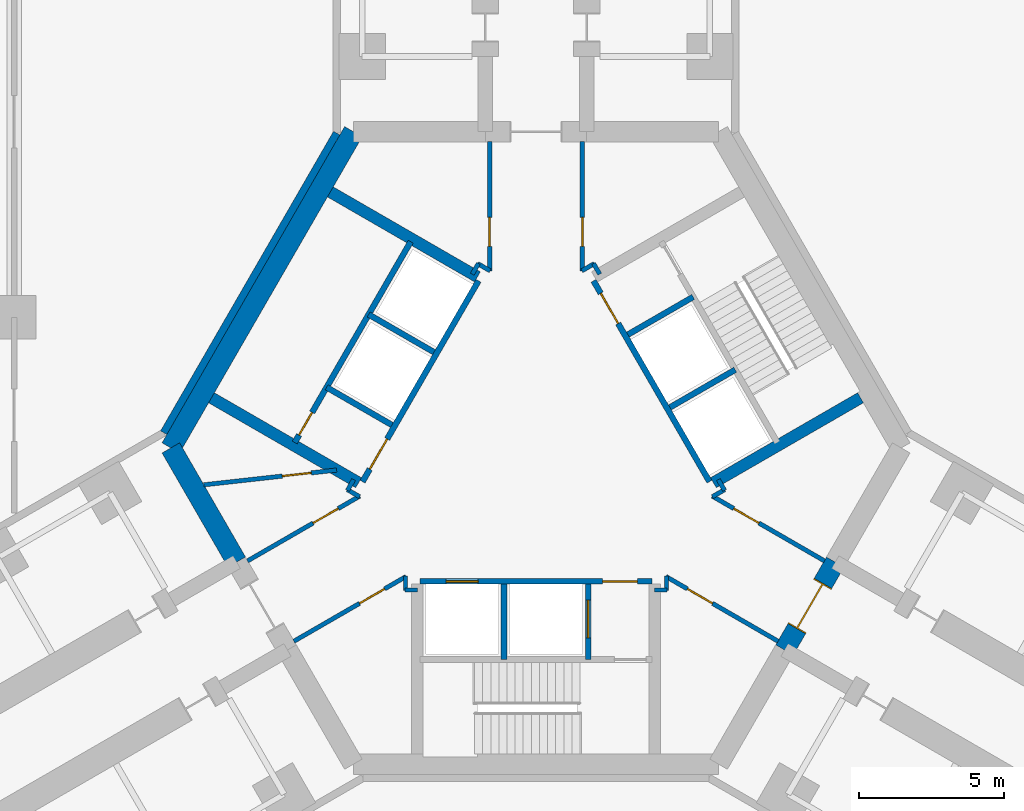
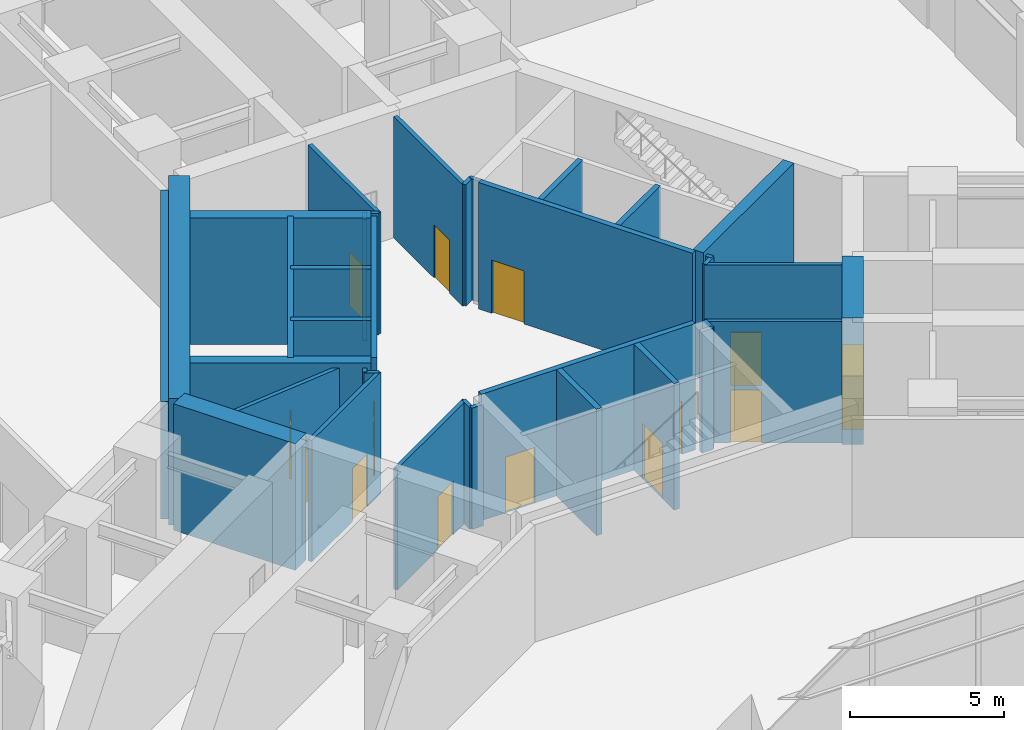
# One storey, part 25 of 31: 36 walls, 14 doors, 14 openings.
"""IFC4 building model written with IfcOpenShell, lengths in metres."""

from ifc_helpers import new_model, si_unit, direction, frame, frame_2d, origin, place, context, subcontext, project, spatial, rectangle, extrude, material, layer, layer_set, type_object, element, fill, save


model = new_model("IFC4")

# Units and contexts
model_context = context("Model", 3, precision=1e-05, world=origin(), true_north=direction((0.0, 1.0)))
body_context = subcontext(model_context, "Body", "Model", "MODEL_VIEW")
ifc_project = project(units=[si_unit("LENGTHUNIT", "METRE"), si_unit("AREAUNIT", "SQUARE_METRE"), si_unit("VOLUMEUNIT", "CUBIC_METRE"), si_unit("PLANEANGLEUNIT", "RADIAN"), si_unit("MASSUNIT", "GRAM", prefix="KILO")], contexts=[model_context])

# Site, building, storey
site_placement = place(None, origin())
site = spatial("IfcSite", under=ifc_project, at=site_placement, CompositionType="ELEMENT")
building_placement = place(site_placement, origin())
building = spatial("IfcBuilding", under=site, at=building_placement, Name="Upepo Twin Towers", CompositionType="ELEMENT")
storey_placement = place(building_placement, frame((0.0, 0.0, 15.5)))
storey = spatial("IfcBuildingStorey", under=building, at=storey_placement, Name="L03", CompositionType="ELEMENT", Elevation=15.5)

# Walls
ifc_material_1 = material(Name="Concrete C60/75", Category="concrete")
ifc_layer_1 = layer(ifc_material_1, 0.699951171875)
ifc_layer_set_1 = layer_set([ifc_layer_1], Name="Concrete C60/75")
wall_type_1 = type_object("IfcWallType", Name="Core wall 700 RC", PredefinedType="SHEAR", material=ifc_layer_set_1)
wall_1_placement = place(storey_placement, frame((52.2021484375, -7.091552734375, 0.0), z_axis=(0.0, 0.0, 1.0), x_axis=(-0.500005998175, -0.866021940709, 0.0)))
element("IfcWall", 1, at=wall_1_placement, inside=storey, type_object=wall_type_1, Name="T2 core wall 060", PredefinedType="SHEAR", context=body_context, shape_type="SweptSolid", body=[
    extrude(rectangle(XDim=12.595947265625, YDim=0.699951171875, at=frame_2d((6.2978515625, 0.0))), origin(), (0.0, 0.0, 1.0), 5.0),
])
wall_2_placement = place(storey_placement, frame((45.904052734375, -18.0, 0.0), z_axis=(0.0, 0.0, 1.0), x_axis=(0.500024481964, -0.866011268655, 0.0)))
element("IfcWall", 2, at=wall_2_placement, inside=storey, type_object=wall_type_1, Name="T2 core wall 120 R", PredefinedType="SHEAR", context=body_context, shape_type="SweptSolid", body=[
    extrude(rectangle(XDim=4.548095703125, YDim=0.699951171875, at=frame_2d((2.27392578125, 0.0))), origin(), (0.0, 0.0, 1.0), 5.0),
])

# Wall, opening, door
wall_3_placement = place(storey_placement, frame((67.07177734375, -24.9697265625, 0.0), z_axis=(0.0, 0.0, 1.0), x_axis=(0.500010275428, 0.866019471182, 0.0)))
wall_3 = element("IfcWall", 3, at=wall_3_placement, inside=storey, type_object=wall_type_1, Name="T2 core wall 240", PredefinedType="SHEAR", context=body_context, shape_type="SweptSolid", body=[
    extrude(rectangle(XDim=3.5, YDim=0.699951171875, at=frame_2d((1.75, 0.0))), origin(), (0.0, 0.0, 1.0), 5.0),
])
opening_1_placement = place(wall_3_placement, frame((0.85009765625, 0.0, 0.0)))
opening_1 = element("IfcOpeningElement", 4, at=opening_1_placement, cuts=wall_3, Name="Opening D2", PredefinedType="OPENING", context=body_context, shape_type="SweptSolid", body=[
    extrude(rectangle(XDim=1.800048828125, YDim=2.10009765625, at=frame_2d((0.89990234375, 1.050048828125))), frame((0.0, 0.35986328125, 0.0), z_axis=(0.0, -1.0, 0.0), x_axis=(1.0, 0.0, 0.0)), (0.0, 0.0, 1.0), 0.719970703125),
])
ifc_material_2 = material(Name="Timber doorset", Category="wood")
door_type_1 = type_object("IfcDoorType", Name="Corridor double door 1800 FD60", OperationType="DOUBLE_DOOR_DOUBLE_SWING", PredefinedType="DOOR", material=ifc_material_2)
door_1_placement = place(opening_1_placement, origin())
door_1 = element("IfcDoor", 5, at=door_1_placement, inside=storey, type_object=door_type_1, Name="T2 L03 wing C corridor door", OperationType="DOUBLE_DOOR_DOUBLE_SWING", OverallHeight=2.10009765625, OverallWidth=1.800048828125, PredefinedType="DOOR", context=body_context, shape_type="SweptSolid", body=[
    extrude(rectangle(XDim=1.720048828125, YDim=2.06009765625, at=frame_2d((0.89990234375, 1.030029296875))), frame((0.0, 0.02490234375, 0.0), z_axis=(0.0, -1.0, 0.0), x_axis=(1.0, 0.0, 0.0)), (0.0, 0.0, 1.0), 0.050048828125),
    extrude(rectangle(XDim=0.04, YDim=2.10009765625, at=frame_2d((0.02001953125, 1.050048828125))), frame((0.0, 0.349609375, 0.0), z_axis=(0.0, -1.0, 0.0), x_axis=(1.0, 0.0, 0.0)), (0.0, 0.0, 1.0), 0.699462890625),
    extrude(rectangle(XDim=0.04, YDim=2.10009765625, at=frame_2d((1.780029296875, 1.050048828125))), frame((0.0, 0.349609375, 0.0), z_axis=(0.0, -1.0, 0.0), x_axis=(1.0, 0.0, 0.0)), (0.0, 0.0, 1.0), 0.699462890625),
    extrude(rectangle(XDim=1.720048828125, YDim=0.04, at=frame_2d((0.89990234375, 2.080078125))), frame((0.0, 0.349609375, 0.0), z_axis=(0.0, -1.0, 0.0), x_axis=(1.0, 0.0, 0.0)), (0.0, 0.0, 1.0), 0.699462890625),
])
fill(opening_1, door_1)

ifc_material_3 = material(Name="Concrete C40/50", Category="concrete")
ifc_layer_2 = layer(ifc_material_3, 0.199951171875)
ifc_layer_set_2 = layer_set([ifc_layer_2], Name="Concrete C40/50")
wall_type_2 = type_object("IfcWallType", Name="Shaft wall 200 RC", PredefinedType="SHEAR", material=ifc_layer_set_2)
wall_4_placement = place(storey_placement, frame((56.516357421875, -12.23583984375, 0.0), z_axis=(0.0, 0.0, 1.0), x_axis=(-0.49999894854, -0.866026010844, 0.0)))
wall_4 = element("IfcWall", 6, at=wall_4_placement, inside=storey, type_object=wall_type_2, Name="T2 core W60 front wall", PredefinedType="SHEAR", context=body_context, shape_type="SweptSolid", body=[
    extrude(rectangle(XDim=8.0, YDim=0.199951171875, at=frame_2d((4.0, 0.0))), origin(), (0.0, 0.0, 1.0), 5.0),
])
opening_2_placement = place(wall_4_placement, frame((6.300048828125, 0.0, 0.0)))
opening_2 = element("IfcOpeningElement", 7, at=opening_2_placement, cuts=wall_4, Name="Opening D4", PredefinedType="OPENING", context=body_context, shape_type="SweptSolid", body=[
    extrude(rectangle(XDim=1.199951171875, YDim=2.10009765625, at=frame_2d((0.60009765625, 1.050048828125))), frame((0.0, 0.10986328125, 0.0), z_axis=(0.0, -1.0, 0.0), x_axis=(1.0, 0.0, 0.0)), (0.0, 0.0, 1.0), 0.219970703125),
])
ifc_material_4 = material(Name="Timber doorset", Category="wood")
door_type_2 = type_object("IfcDoorType", Name="Lobby door 1200 FD60", OperationType="SINGLE_SWING_LEFT", PredefinedType="DOOR", material=ifc_material_4)
door_2_placement = place(opening_2_placement, origin())
door_2 = element("IfcDoor", 8, at=door_2_placement, inside=storey, type_object=door_type_2, Name="T2 L03 W60 lobby door", OperationType="SINGLE_SWING_RIGHT", OverallHeight=2.10009765625, OverallWidth=1.199951171875, PredefinedType="DOOR", context=body_context, shape_type="SweptSolid", body=[
    extrude(rectangle(XDim=1.199951171875, YDim=2.10009765625, at=frame_2d((0.60009765625, 1.050048828125))), frame((0.0, 0.02490234375, 0.0), z_axis=(0.0, -1.0, 0.0), x_axis=(1.0, 0.0, 0.0)), (0.0, 0.0, 1.0), 0.050048828125),
])
fill(opening_2, door_2)

# Walls
for number, where, z_axis, x_axis, name in (
    (9, (54.979736328125, -14.697265625, 0.0), (0.0, 0.0, 1.0), (-0.866062058628, 0.499936506574, 0.0), "T2 core W60 shaft divider"),
    (10, (53.52978515625, -17.208740234375, 0.0), (0.0, 0.0, 1.0), (-0.866062058628, 0.499936506574, 0.0), "T2 core W60 lobby wall"),
):
    element("IfcWall", number, at=place(storey_placement, frame(where, z_axis=z_axis, x_axis=x_axis)), inside=storey, type_object=wall_type_2, Name=name, PredefinedType="SHEAR", context=body_context, shape_type="SweptSolid", body=[
        extrude(rectangle(XDim=2.599853515625, YDim=0.199951171875, at=frame_2d((1.2998046875, 0.0))), origin(), (0.0, 0.0, 1.0), 5.0),
    ])

# Wall, opening, door
wall_5_placement = place(storey_placement, frame((54.177978515625, -10.885986328125, 0.0), z_axis=(0.0, 0.0, 1.0), x_axis=(-0.49999894854, -0.866026010844, 0.0)))
wall_5 = element("IfcWall", 11, at=wall_5_placement, inside=storey, type_object=wall_type_2, Name="T2 core W60 stair wall", PredefinedType="SHEAR", context=body_context, shape_type="SweptSolid", body=[
    extrude(rectangle(XDim=8.0, YDim=0.199951171875, at=frame_2d((4.0, 0.0))), origin(), (0.0, 0.0, 1.0), 5.0),
])
opening_3_placement = place(wall_5_placement, frame((6.800048828125, 0.0, 0.0)))
opening_3 = element("IfcOpeningElement", 12, at=opening_3_placement, cuts=wall_5, Name="Opening D9", PredefinedType="OPENING", context=body_context, shape_type="SweptSolid", body=[
    extrude(rectangle(XDim=0.89990234375, YDim=2.10009765625, at=frame_2d((0.449951171875, 1.050048828125))), frame((0.0, 0.10986328125, 0.0), z_axis=(0.0, -1.0, 0.0), x_axis=(1.0, 0.0, 0.0)), (0.0, 0.0, 1.0), 0.219970703125),
])
ifc_material_5 = material(Name="Timber doorset", Category="wood")
door_type_3 = type_object("IfcDoorType", Name="Riser door 900 FD60", OperationType="SINGLE_SWING_LEFT", PredefinedType="DOOR", material=ifc_material_5)
door_3_placement = place(opening_3_placement, origin())
door_3 = element("IfcDoor", 13, at=door_3_placement, inside=storey, type_object=door_type_3, Name="T2 L03 riser door", OperationType="SINGLE_SWING_RIGHT", OverallHeight=2.10009765625, OverallWidth=0.89990234375, PredefinedType="DOOR", context=body_context, shape_type="SweptSolid", body=[
    extrude(rectangle(XDim=0.89990234375, YDim=2.10009765625, at=frame_2d((0.449951171875, 1.050048828125))), frame((0.0, 0.02490234375, 0.0), z_axis=(0.0, -1.0, 0.0), x_axis=(1.0, 0.0, 0.0)), (0.0, 0.0, 1.0), 0.050048828125),
])
fill(opening_3, door_3)

# Wall, openings, doors
wall_6_placement = place(storey_placement, frame((54.5, -22.60009765625, 0.0), z_axis=(0.0, 0.0, 1.0), x_axis=(1.0, 0.0, 0.0)))
wall_6 = element("IfcWall", 14, at=wall_6_placement, inside=storey, type_object=wall_type_2, Name="T2 core W180 front wall", PredefinedType="SHEAR", context=body_context, shape_type="SweptSolid", body=[
    extrude(rectangle(XDim=8.0, YDim=0.199951171875, at=frame_2d((4.0, 0.0))), origin(), (0.0, 0.0, 1.0), 5.0),
])
opening_4_placement = place(wall_6_placement, frame((6.300048828125, 0.0, 0.0)))
opening_4 = element("IfcOpeningElement", 15, at=opening_4_placement, cuts=wall_6, Name="Opening D4", PredefinedType="OPENING", context=body_context, shape_type="SweptSolid", body=[
    extrude(rectangle(XDim=1.199951171875, YDim=2.10009765625, at=frame_2d((0.60009765625, 1.050048828125))), frame((0.0, 0.10986328125, 0.0), z_axis=(0.0, -1.0, 0.0), x_axis=(1.0, 0.0, 0.0)), (0.0, 0.0, 1.0), 0.219970703125),
])
opening_5_placement = place(wall_6_placement, frame((0.89990234375, 0.0, 0.0)))
opening_5 = element("IfcOpeningElement", 16, at=opening_5_placement, cuts=wall_6, Name="Opening LD1", PredefinedType="OPENING", context=body_context, shape_type="SweptSolid", body=[
    extrude(rectangle(XDim=1.10009765625, YDim=2.199951171875, at=frame_2d((0.550048828125, 1.10009765625))), frame((0.0, 0.10986328125, 0.0), z_axis=(0.0, -1.0, 0.0), x_axis=(1.0, 0.0, 0.0)), (0.0, 0.0, 1.0), 0.219970703125),
])
ifc_material_6 = material(Name="Steel doorset", Category="steel")
door_type_4 = type_object("IfcDoorType", Name="Lift landing door 1100", OperationType="DOUBLE_DOOR_SLIDING", PredefinedType="DOOR", material=ifc_material_6)
door_4_placement = place(opening_5_placement, origin())
door_4 = element("IfcDoor", 17, at=door_4_placement, inside=storey, type_object=door_type_4, Name="T2 L03 lift SV1 landing door", OperationType="DOUBLE_DOOR_SLIDING", OverallHeight=2.199951171875, OverallWidth=1.10009765625, PredefinedType="DOOR", context=body_context, shape_type="SweptSolid", body=[
    extrude(rectangle(XDim=1.10009765625, YDim=2.199951171875, at=frame_2d((0.550048828125, 1.10009765625))), frame((0.0, 0.02490234375, 0.0), z_axis=(0.0, -1.0, 0.0), x_axis=(1.0, 0.0, 0.0)), (0.0, 0.0, 1.0), 0.050048828125),
])
fill(opening_5, door_4)
door_5_placement = place(opening_4_placement, origin())
door_5 = element("IfcDoor", 18, at=door_5_placement, inside=storey, type_object=door_type_2, Name="T2 L03 W180 lobby door", OperationType="SINGLE_SWING_RIGHT", OverallHeight=2.10009765625, OverallWidth=1.199951171875, PredefinedType="DOOR", context=body_context, shape_type="SweptSolid", body=[
    extrude(rectangle(XDim=1.199951171875, YDim=2.10009765625, at=frame_2d((0.60009765625, 1.050048828125))), frame((0.0, 0.02490234375, 0.0), z_axis=(0.0, -1.0, 0.0), x_axis=(1.0, 0.0, 0.0)), (0.0, 0.0, 1.0), 0.050048828125),
])
fill(opening_4, door_5)

# Wall
wall_7_placement = place(storey_placement, frame((57.39990234375, -22.699951171875, 0.0), z_axis=(0.0, 0.0, 1.0), x_axis=(0.0, -1.0, 0.0)))
element("IfcWall", 19, at=wall_7_placement, inside=storey, type_object=wall_type_2, Name="T2 core W180 shaft divider", PredefinedType="SHEAR", context=body_context, shape_type="SweptSolid", body=[
    extrude(rectangle(XDim=2.60009765625, YDim=0.199951171875, at=frame_2d((1.300048828125, 0.0))), origin(), (0.0, 0.0, 1.0), 5.0),
])

# Wall, opening, door
wall_8_placement = place(storey_placement, frame((60.300048828125, -22.699951171875, 0.0), z_axis=(0.0, 0.0, 1.0), x_axis=(0.0, -1.0, 0.0)))
wall_8 = element("IfcWall", 20, at=wall_8_placement, inside=storey, type_object=wall_type_2, Name="T2 core W180 lobby wall", PredefinedType="SHEAR", context=body_context, shape_type="SweptSolid", body=[
    extrude(rectangle(XDim=2.60009765625, YDim=0.199951171875, at=frame_2d((1.300048828125, 0.0))), origin(), (0.0, 0.0, 1.0), 5.0),
])
opening_6_placement = place(wall_8_placement, frame((0.550048828125, 0.0, 0.0)))
opening_6 = element("IfcOpeningElement", 21, at=opening_6_placement, cuts=wall_8, Name="Opening LD2", PredefinedType="OPENING", context=body_context, shape_type="SweptSolid", body=[
    extrude(rectangle(XDim=1.300048828125, YDim=2.199951171875, at=frame_2d((0.64990234375, 1.10009765625))), frame((0.0, 0.10986328125, 0.0), z_axis=(0.0, -1.0, 0.0), x_axis=(1.0, 0.0, 0.0)), (0.0, 0.0, 1.0), 0.219970703125),
])
ifc_material_7 = material(Name="Steel doorset", Category="steel")
door_type_5 = type_object("IfcDoorType", Name="Firefighting lift landing door 1300", OperationType="DOUBLE_DOOR_SLIDING", PredefinedType="DOOR", material=ifc_material_7)
door_6_placement = place(opening_6_placement, origin())
door_6 = element("IfcDoor", 22, at=door_6_placement, inside=storey, type_object=door_type_5, Name="T2 L03 firefighting lift landing door", OperationType="DOUBLE_DOOR_SLIDING", OverallHeight=2.199951171875, OverallWidth=1.300048828125, PredefinedType="DOOR", context=body_context, shape_type="SweptSolid", body=[
    extrude(rectangle(XDim=1.300048828125, YDim=2.199951171875, at=frame_2d((0.64990234375, 1.10009765625))), frame((0.0, 0.02490234375, 0.0), z_axis=(0.0, -1.0, 0.0), x_axis=(1.0, 0.0, 0.0)), (0.0, 0.0, 1.0), 0.050048828125),
])
fill(opening_6, door_6)

wall_9_placement = place(storey_placement, frame((64.483642578125, -19.1640625, 0.0), z_axis=(0.0, 0.0, 1.0), x_axis=(-0.49999894854, 0.866026010844, 0.0)))
wall_9 = element("IfcWall", 23, at=wall_9_placement, inside=storey, type_object=wall_type_2, Name="T2 core W300 front wall", PredefinedType="SHEAR", context=body_context, shape_type="SweptSolid", body=[
    extrude(rectangle(XDim=8.0, YDim=0.199951171875, at=frame_2d((4.0, 0.0))), origin(), (0.0, 0.0, 1.0), 5.0),
])
opening_7_placement = place(wall_9_placement, frame((6.300048828125, 0.0, 0.0)))
opening_7 = element("IfcOpeningElement", 24, at=opening_7_placement, cuts=wall_9, Name="Opening D4", PredefinedType="OPENING", context=body_context, shape_type="SweptSolid", body=[
    extrude(rectangle(XDim=1.199951171875, YDim=2.10009765625, at=frame_2d((0.60009765625, 1.050048828125))), frame((0.0, 0.10986328125, 0.0), z_axis=(0.0, -1.0, 0.0), x_axis=(1.0, 0.0, 0.0)), (0.0, 0.0, 1.0), 0.219970703125),
])
door_7_placement = place(opening_7_placement, origin())
door_7 = element("IfcDoor", 25, at=door_7_placement, inside=storey, type_object=door_type_2, Name="T2 L03 W300 lobby door", OperationType="SINGLE_SWING_RIGHT", OverallHeight=2.10009765625, OverallWidth=1.199951171875, PredefinedType="DOOR", context=body_context, shape_type="SweptSolid", body=[
    extrude(rectangle(XDim=1.199951171875, YDim=2.10009765625, at=frame_2d((0.60009765625, 1.050048828125))), frame((0.0, 0.02490234375, 0.0), z_axis=(0.0, -1.0, 0.0), x_axis=(1.0, 0.0, 0.0)), (0.0, 0.0, 1.0), 0.050048828125),
])
fill(opening_7, door_7)

# Walls
wall_10_placement = place(storey_placement, frame((63.120361328125, -16.6025390625, 0.0), z_axis=(0.0, 0.0, 1.0), x_axis=(0.866062058628, 0.499936506574, 0.0)))
element("IfcWall", 26, at=wall_10_placement, inside=storey, type_object=wall_type_2, Name="T2 core W300 shaft divider", PredefinedType="SHEAR", context=body_context, shape_type="SweptSolid", body=[
    extrude(rectangle(XDim=2.599853515625, YDim=0.199951171875, at=frame_2d((1.2998046875, 0.0))), origin(), (0.0, 0.0, 1.0), 5.0),
])
wall_11_placement = place(storey_placement, frame((61.67041015625, -14.091064453125, 0.0), z_axis=(0.0, 0.0, 1.0), x_axis=(0.86603858612, 0.49997716683, 0.0)))
element("IfcWall", 27, at=wall_11_placement, inside=storey, type_object=wall_type_2, Name="T2 core W300 lobby wall", PredefinedType="SHEAR", context=body_context, shape_type="SweptSolid", body=[
    extrude(rectangle(XDim=2.599609375, YDim=0.199951171875, at=frame_2d((1.2998046875, 0.0))), origin(), (0.0, 0.0, 1.0), 5.0),
])
ifc_material_8 = material(Name="Concrete C40/50", Category="concrete")
ifc_layer_3 = layer(ifc_material_8, 0.39990234375)
ifc_layer_set_3 = layer_set([ifc_layer_3], Name="Concrete C40/50")
wall_type_3 = type_object("IfcWallType", Name="Shaft wall 400 RC", PredefinedType="SHEAR", material=ifc_layer_set_3)
for number, where, z_axis, x_axis, name in (
    (28, (52.379638671875, -19.20068359375, 0.0), (0.0, 0.0, 1.0), (-0.866023886965, 0.500002627198, 0.0), "T2 core W60 side wall N"),
    (29, (56.479736328125, -12.099365234375, 0.0), (0.0, 0.0, 1.0), (-0.866023886965, 0.500002627198, 0.0), "T2 core W60 side wall S"),
    (30, (64.620361328125, -19.20068359375, 0.0), (0.0, 0.0, 1.0), (0.866023886965, 0.500002627198, 0.0), "T2 core W300 side wall S"),
):
    element("IfcWall", number, at=place(storey_placement, frame(where, z_axis=z_axis, x_axis=x_axis)), inside=storey, type_object=wall_type_3, Name=name, PredefinedType="SHEAR", context=body_context, shape_type="SweptSolid", body=[
        extrude(rectangle(XDim=5.8583984375, YDim=0.39990234375, at=frame_2d((2.92919921875, 0.0))), origin(), (0.0, 0.0, 1.0), 5.0),
    ])
ifc_material_9 = material(Name="Gypsum board on steel studs", Category="steel")
ifc_layer_4 = layer(ifc_material_9, 0.14990234375)
ifc_layer_set_4 = layer_set([ifc_layer_4], Name="Teaching partition 150 acoustic")
wall_type_4 = type_object("IfcWallType", Name="Teaching partition 150 acoustic", PredefinedType="PARTITIONING", material=ifc_layer_set_4)
wall_12_placement = place(storey_placement, frame((54.0, -22.919921875, 0.0), z_axis=(0.0, 0.0, 1.0), x_axis=(0.0, 1.0, 0.0)))
element("IfcWall", 31, at=wall_12_placement, inside=storey, type_object=wall_type_4, Name="T2 core room partition 1", PredefinedType="PARTITIONING", context=body_context, shape_type="SweptSolid", body=[
    extrude(rectangle(XDim=0.494384765625, YDim=0.14990234375, at=frame_2d((0.2470703125, 0.0))), origin(), (0.0, 0.0, 1.0), 4.800048828125),
])

# Wall, opening, door
wall_13_placement = place(storey_placement, frame((54.017333984375, -22.435546875, 0.0), z_axis=(0.0, 0.0, 1.0), x_axis=(-0.866015446554, -0.500017246033, 0.0)))
wall_13 = element("IfcWall", 32, at=wall_13_placement, inside=storey, type_object=wall_type_4, Name="T2 core room partition 2", PredefinedType="PARTITIONING", context=body_context, shape_type="SweptSolid", body=[
    extrude(rectangle(XDim=4.468505859375, YDim=0.14990234375, at=frame_2d((2.234375, 0.0))), origin(), (0.0, 0.0, 1.0), 4.800048828125),
])
opening_8_placement = place(wall_13_placement, frame((0.854736328125, 0.0, 0.0)))
opening_8 = element("IfcOpeningElement", 33, at=opening_8_placement, cuts=wall_13, Name="Opening D1", PredefinedType="OPENING", context=body_context, shape_type="SweptSolid", body=[
    extrude(rectangle(XDim=1.0, YDim=2.10009765625, at=frame_2d((0.5, 1.050048828125))), frame((0.0, 0.0849609375, 0.0), z_axis=(0.0, -1.0, 0.0), x_axis=(1.0, 0.0, 0.0)), (0.0, 0.0, 1.0), 0.169921875),
])
ifc_material_10 = material(Name="Timber doorset", Category="wood")
door_type_6 = type_object("IfcDoorType", Name="Room door 1000 FD30", OperationType="SINGLE_SWING_LEFT", PredefinedType="DOOR", material=ifc_material_10)
door_8_placement = place(opening_8_placement, origin())
door_8 = element("IfcDoor", 34, at=door_8_placement, inside=storey, type_object=door_type_6, Name="T2 L03 core room door K3", OperationType="SINGLE_SWING_LEFT", OverallHeight=2.10009765625, OverallWidth=1.0, PredefinedType="DOOR", context=body_context, shape_type="SweptSolid", body=[
    extrude(rectangle(XDim=1.0, YDim=2.10009765625, at=frame_2d((0.5, 1.050048828125))), frame((0.0, 0.02490234375, 0.0), z_axis=(0.0, -1.0, 0.0), x_axis=(1.0, 0.0, 0.0)), (0.0, 0.0, 1.0), 0.050048828125),
])
fill(opening_8, door_8)

wall_14_placement = place(storey_placement, frame((48.547607421875, -21.8984375, 0.0), z_axis=(0.0, 0.0, 1.0), x_axis=(0.866025445582, 0.499999927604, 0.0)))
wall_14 = element("IfcWall", 35, at=wall_14_placement, inside=storey, type_object=wall_type_4, Name="T2 core room partition 3", PredefinedType="PARTITIONING", context=body_context, shape_type="SweptSolid", body=[
    extrude(rectangle(XDim=4.46826171875, YDim=0.14990234375, at=frame_2d((2.234130859375, 0.0))), origin(), (0.0, 0.0, 1.0), 4.800048828125),
])
opening_9_placement = place(wall_14_placement, frame((2.61376953125, 0.0, 0.0)))
opening_9 = element("IfcOpeningElement", 36, at=opening_9_placement, cuts=wall_14, Name="Opening D1", PredefinedType="OPENING", context=body_context, shape_type="SweptSolid", body=[
    extrude(rectangle(XDim=1.0, YDim=2.10009765625, at=frame_2d((0.5, 1.050048828125))), frame((0.0, 0.0849609375, 0.0), z_axis=(0.0, -1.0, 0.0), x_axis=(1.0, 0.0, 0.0)), (0.0, 0.0, 1.0), 0.169921875),
])
door_9_placement = place(opening_9_placement, origin())
door_9 = element("IfcDoor", 37, at=door_9_placement, inside=storey, type_object=door_type_6, Name="T2 L03 core room door K2", OperationType="SINGLE_SWING_RIGHT", OverallHeight=2.10009765625, OverallWidth=1.0, PredefinedType="DOOR", context=body_context, shape_type="SweptSolid", body=[
    extrude(rectangle(XDim=1.0, YDim=2.10009765625, at=frame_2d((0.5, 1.050048828125))), frame((0.0, 0.02490234375, 0.0), z_axis=(0.0, -1.0, 0.0), x_axis=(1.0, 0.0, 0.0)), (0.0, 0.0, 1.0), 0.050048828125),
])
fill(opening_9, door_9)

# Walls
wall_15_placement = place(storey_placement, frame((52.417236328125, -19.684326171875, 0.0), z_axis=(0.0, 0.0, 1.0), x_axis=(-0.865831790172, 0.50033519877, 0.0)))
element("IfcWall", 38, at=wall_15_placement, inside=storey, type_object=wall_type_4, Name="T2 core room partition 4", PredefinedType="PARTITIONING", context=body_context, shape_type="SweptSolid", body=[
    extrude(rectangle(XDim=0.494384765625, YDim=0.14990234375, at=frame_2d((0.2470703125, 0.0))), origin(), (0.0, 0.0, 1.0), 4.800048828125),
])
for number, where, z_axis, x_axis, name in (
    (39, (51.99658203125, -19.46435546875, 0.0), (0.0, 0.0, 1.0), (0.499804398801, 0.866138304741, 0.0), "T2 core room partition 5"),
    (40, (56.301513671875, -12.0078125, 0.0), (0.0, 0.0, 1.0), (0.500230298122, 0.865892400268, 0.0), "T2 core room partition 6"),
):
    element("IfcWall", number, at=place(storey_placement, frame(where, z_axis=z_axis, x_axis=x_axis)), inside=storey, type_object=wall_type_4, Name=name, PredefinedType="PARTITIONING", context=body_context, shape_type="SweptSolid", body=[
        extrude(rectangle(XDim=0.429931640625, YDim=0.14990234375, at=frame_2d((0.21484375, 0.0))), origin(), (0.0, 0.0, 1.0), 4.800048828125),
    ])
wall_16_placement = place(storey_placement, frame((56.4892578125, -11.642822265625, 0.0), z_axis=(0.0, 0.0, 1.0), x_axis=(0.865831790172, -0.50033519877, 0.0)))
element("IfcWall", 41, at=wall_16_placement, inside=storey, type_object=wall_type_4, Name="T2 core room partition 7", PredefinedType="PARTITIONING", context=body_context, shape_type="SweptSolid", body=[
    extrude(rectangle(XDim=0.494384765625, YDim=0.14990234375, at=frame_2d((0.2470703125, 0.0))), origin(), (0.0, 0.0, 1.0), 4.800048828125),
])

# Wall, opening, door
wall_17_placement = place(storey_placement, frame((56.89990234375, -11.900146484375, 0.0), z_axis=(0.0, 0.0, 1.0), x_axis=(0.0, 1.0, 0.0)))
wall_17 = element("IfcWall", 42, at=wall_17_placement, inside=storey, type_object=wall_type_4, Name="T2 core room partition 8", PredefinedType="PARTITIONING", context=body_context, shape_type="SweptSolid", body=[
    extrude(rectangle(XDim=4.468505859375, YDim=0.14990234375, at=frame_2d((2.234375, 0.0))), origin(), (0.0, 0.0, 1.0), 4.800048828125),
])
opening_10_placement = place(wall_17_placement, frame((0.854736328125, 0.0, 0.0)))
opening_10 = element("IfcOpeningElement", 43, at=opening_10_placement, cuts=wall_17, Name="Opening D1", PredefinedType="OPENING", context=body_context, shape_type="SweptSolid", body=[
    extrude(rectangle(XDim=1.0, YDim=2.10009765625, at=frame_2d((0.5, 1.050048828125))), frame((0.0, 0.0849609375, 0.0), z_axis=(0.0, -1.0, 0.0), x_axis=(1.0, 0.0, 0.0)), (0.0, 0.0, 1.0), 0.169921875),
])
door_10_placement = place(opening_10_placement, origin())
door_10 = element("IfcDoor", 44, at=door_10_placement, inside=storey, type_object=door_type_6, Name="T2 L03 core room door K7", OperationType="SINGLE_SWING_LEFT", OverallHeight=2.10009765625, OverallWidth=1.0, PredefinedType="DOOR", context=body_context, shape_type="SweptSolid", body=[
    extrude(rectangle(XDim=1.0, YDim=2.10009765625, at=frame_2d((0.5, 1.050048828125))), frame((0.0, 0.02490234375, 0.0), z_axis=(0.0, -1.0, 0.0), x_axis=(1.0, 0.0, 0.0)), (0.0, 0.0, 1.0), 0.050048828125),
])
fill(opening_10, door_10)

wall_18_placement = place(storey_placement, frame((60.10009765625, -7.431640625, 0.0), z_axis=(0.0, 0.0, 1.0), x_axis=(0.0, -1.0, 0.0)))
wall_18 = element("IfcWall", 45, at=wall_18_placement, inside=storey, type_object=wall_type_4, Name="T2 core room partition 9", PredefinedType="PARTITIONING", context=body_context, shape_type="SweptSolid", body=[
    extrude(rectangle(XDim=4.468505859375, YDim=0.14990234375, at=frame_2d((2.234375, 0.0))), origin(), (0.0, 0.0, 1.0), 4.800048828125),
])
opening_11_placement = place(wall_18_placement, frame((2.61376953125, 0.0, 0.0)))
opening_11 = element("IfcOpeningElement", 46, at=opening_11_placement, cuts=wall_18, Name="Opening D1", PredefinedType="OPENING", context=body_context, shape_type="SweptSolid", body=[
    extrude(rectangle(XDim=1.0, YDim=2.10009765625, at=frame_2d((0.5, 1.050048828125))), frame((0.0, 0.0849609375, 0.0), z_axis=(0.0, -1.0, 0.0), x_axis=(1.0, 0.0, 0.0)), (0.0, 0.0, 1.0), 0.169921875),
])
door_11_placement = place(opening_11_placement, origin())
door_11 = element("IfcDoor", 47, at=door_11_placement, inside=storey, type_object=door_type_6, Name="T2 L03 core room door K6", OperationType="SINGLE_SWING_RIGHT", OverallHeight=2.10009765625, OverallWidth=1.0, PredefinedType="DOOR", context=body_context, shape_type="SweptSolid", body=[
    extrude(rectangle(XDim=1.0, YDim=2.10009765625, at=frame_2d((0.5, 1.050048828125))), frame((0.0, 0.02490234375, 0.0), z_axis=(0.0, -1.0, 0.0), x_axis=(1.0, 0.0, 0.0)), (0.0, 0.0, 1.0), 0.050048828125),
])
fill(opening_11, door_11)

# Walls
wall_19_placement = place(storey_placement, frame((60.082763671875, -11.89013671875, 0.0), z_axis=(0.0, 0.0, 1.0), x_axis=(0.865831790172, 0.50033519877, 0.0)))
element("IfcWall", 48, at=wall_19_placement, inside=storey, type_object=wall_type_4, Name="T2 core room partition 10", PredefinedType="PARTITIONING", context=body_context, shape_type="SweptSolid", body=[
    extrude(rectangle(XDim=0.494384765625, YDim=0.14990234375, at=frame_2d((0.2470703125, 0.0))), origin(), (0.0, 0.0, 1.0), 4.800048828125),
])
for number, where, z_axis, x_axis, name in (
    (49, (60.4833984375, -11.635498046875, 0.0), (0.0, 0.0, 1.0), (0.500230298122, -0.865892400268, 0.0), "T2 core room partition 11"),
    (50, (64.78857421875, -19.092041015625, 0.0), (0.0, 0.0, 1.0), (0.499804398801, -0.866138304741, 0.0), "T2 core room partition 12"),
):
    element("IfcWall", number, at=place(storey_placement, frame(where, z_axis=z_axis, x_axis=x_axis)), inside=storey, type_object=wall_type_4, Name=name, PredefinedType="PARTITIONING", context=body_context, shape_type="SweptSolid", body=[
        extrude(rectangle(XDim=0.429931640625, YDim=0.14990234375, at=frame_2d((0.21484375, 0.0))), origin(), (0.0, 0.0, 1.0), 4.800048828125),
    ])
wall_20_placement = place(storey_placement, frame((65.0107421875, -19.43701171875, 0.0), z_axis=(0.0, 0.0, 1.0), x_axis=(-0.865831790172, -0.50033519877, 0.0)))
element("IfcWall", 51, at=wall_20_placement, inside=storey, type_object=wall_type_4, Name="T2 core room partition 13", PredefinedType="PARTITIONING", context=body_context, shape_type="SweptSolid", body=[
    extrude(rectangle(XDim=0.494384765625, YDim=0.14990234375, at=frame_2d((0.2470703125, 0.0))), origin(), (0.0, 0.0, 1.0), 4.800048828125),
])

# Wall, opening, door
wall_21_placement = place(storey_placement, frame((64.582763671875, -19.664306640625, 0.0), z_axis=(0.0, 0.0, 1.0), x_axis=(0.866025445582, -0.499999927604, 0.0)))
wall_21 = element("IfcWall", 52, at=wall_21_placement, inside=storey, type_object=wall_type_4, Name="T2 core room partition 14", PredefinedType="PARTITIONING", context=body_context, shape_type="SweptSolid", body=[
    extrude(rectangle(XDim=4.46826171875, YDim=0.14990234375, at=frame_2d((2.234130859375, 0.0))), origin(), (0.0, 0.0, 1.0), 4.800048828125),
])
opening_12_placement = place(wall_21_placement, frame((0.854736328125, 0.0, 0.0)))
opening_12 = element("IfcOpeningElement", 53, at=opening_12_placement, cuts=wall_21, Name="Opening D1", PredefinedType="OPENING", context=body_context, shape_type="SweptSolid", body=[
    extrude(rectangle(XDim=1.0, YDim=2.10009765625, at=frame_2d((0.5, 1.050048828125))), frame((0.0, 0.0849609375, 0.0), z_axis=(0.0, -1.0, 0.0), x_axis=(1.0, 0.0, 0.0)), (0.0, 0.0, 1.0), 0.169921875),
])
door_12_placement = place(opening_12_placement, origin())
door_12 = element("IfcDoor", 54, at=door_12_placement, inside=storey, type_object=door_type_6, Name="T2 L03 core room door K5", OperationType="SINGLE_SWING_LEFT", OverallHeight=2.10009765625, OverallWidth=1.0, PredefinedType="DOOR", context=body_context, shape_type="SweptSolid", body=[
    extrude(rectangle(XDim=1.0, YDim=2.10009765625, at=frame_2d((0.5, 1.050048828125))), frame((0.0, 0.02490234375, 0.0), z_axis=(0.0, -1.0, 0.0), x_axis=(1.0, 0.0, 0.0)), (0.0, 0.0, 1.0), 0.050048828125),
])
fill(opening_12, door_12)

wall_22_placement = place(storey_placement, frame((66.8525390625, -24.669921875, 0.0), z_axis=(0.0, 0.0, 1.0), x_axis=(-0.866015446554, 0.500017246033, 0.0)))
wall_22 = element("IfcWall", 55, at=wall_22_placement, inside=storey, type_object=wall_type_4, Name="T2 core room partition 15", PredefinedType="PARTITIONING", context=body_context, shape_type="SweptSolid", body=[
    extrude(rectangle(XDim=4.468505859375, YDim=0.14990234375, at=frame_2d((2.234375, 0.0))), origin(), (0.0, 0.0, 1.0), 4.800048828125),
])
opening_13_placement = place(wall_22_placement, frame((2.61376953125, 0.0, 0.0)))
opening_13 = element("IfcOpeningElement", 56, at=opening_13_placement, cuts=wall_22, Name="Opening D1", PredefinedType="OPENING", context=body_context, shape_type="SweptSolid", body=[
    extrude(rectangle(XDim=1.0, YDim=2.10009765625, at=frame_2d((0.5, 1.050048828125))), frame((0.0, 0.0849609375, 0.0), z_axis=(0.0, -1.0, 0.0), x_axis=(1.0, 0.0, 0.0)), (0.0, 0.0, 1.0), 0.169921875),
])
door_13_placement = place(opening_13_placement, origin())
door_13 = element("IfcDoor", 57, at=door_13_placement, inside=storey, type_object=door_type_6, Name="T2 L03 core room door K4", OperationType="SINGLE_SWING_RIGHT", OverallHeight=2.10009765625, OverallWidth=1.0, PredefinedType="DOOR", context=body_context, shape_type="SweptSolid", body=[
    extrude(rectangle(XDim=1.0, YDim=2.10009765625, at=frame_2d((0.5, 1.050048828125))), frame((0.0, 0.02490234375, 0.0), z_axis=(0.0, -1.0, 0.0), x_axis=(1.0, 0.0, 0.0)), (0.0, 0.0, 1.0), 0.050048828125),
])
fill(opening_13, door_13)

# Walls
wall_23_placement = place(storey_placement, frame((63.0, -22.425537109375, 0.0), z_axis=(0.0, 0.0, 1.0), x_axis=(0.0, -1.0, 0.0)))
element("IfcWall", 58, at=wall_23_placement, inside=storey, type_object=wall_type_4, Name="T2 core room partition 16", PredefinedType="PARTITIONING", context=body_context, shape_type="SweptSolid", body=[
    extrude(rectangle(XDim=0.494384765625, YDim=0.14990234375, at=frame_2d((0.2470703125, 0.0))), origin(), (0.0, 0.0, 1.0), 4.800048828125),
])
for number, where, z_axis, x_axis, name in (
    (59, (63.02001953125, -22.89990234375, 0.0), (0.0, 0.0, 1.0), (-1.0, 0.0, 0.0), "T2 core room partition 17"),
    (60, (54.409912109375, -22.89990234375, 0.0), (0.0, 0.0, 1.0), (-1.0, 0.0, 0.0), "T2 core room partition 18"),
):
    element("IfcWall", number, at=place(storey_placement, frame(where, z_axis=z_axis, x_axis=x_axis)), inside=storey, type_object=wall_type_4, Name=name, PredefinedType="PARTITIONING", context=body_context, shape_type="SweptSolid", body=[
        extrude(rectangle(XDim=0.429931640625, YDim=0.14990234375, at=frame_2d((0.21484375, 0.0))), origin(), (0.0, 0.0, 1.0), 4.800048828125),
    ])

# Wall, opening, door
wall_24_placement = place(storey_placement, frame((51.623046875, -18.763916015625, 0.0), z_axis=(0.0, 0.0, 1.0), x_axis=(-0.993886318744, -0.110408266965, 0.0)))
wall_24 = element("IfcWall", 61, at=wall_24_placement, inside=storey, type_object=wall_type_4, Name="T2 core room partition 19", PredefinedType="PARTITIONING", context=body_context, shape_type="SweptSolid", body=[
    extrude(rectangle(XDim=4.608154296875, YDim=0.14990234375, at=frame_2d((2.30419921875, 0.0))), origin(), (0.0, 0.0, 1.0), 4.800048828125),
])
opening_14_placement = place(wall_24_placement, frame((0.882568359375, 0.0, 0.0)))
opening_14 = element("IfcOpeningElement", 62, at=opening_14_placement, cuts=wall_24, Name="Opening D1", PredefinedType="OPENING", context=body_context, shape_type="SweptSolid", body=[
    extrude(rectangle(XDim=1.0, YDim=2.10009765625, at=frame_2d((0.5, 1.050048828125))), frame((0.0, 0.0849609375, 0.0), z_axis=(0.0, -1.0, 0.0), x_axis=(1.0, 0.0, 0.0)), (0.0, 0.0, 1.0), 0.169921875),
])
door_14_placement = place(opening_14_placement, origin())
door_14 = element("IfcDoor", 63, at=door_14_placement, inside=storey, type_object=door_type_6, Name="T2 L03 core room door K1", OperationType="SINGLE_SWING_LEFT", OverallHeight=2.10009765625, OverallWidth=1.0, PredefinedType="DOOR", context=body_context, shape_type="SweptSolid", body=[
    extrude(rectangle(XDim=1.0, YDim=2.10009765625, at=frame_2d((0.5, 1.050048828125))), frame((0.0, 0.02490234375, 0.0), z_axis=(0.0, -1.0, 0.0), x_axis=(1.0, 0.0, 0.0)), (0.0, 0.0, 1.0), 0.050048828125),
])
fill(opening_14, door_14)

# Wall
ifc_material_11 = material(Name="Concrete blockwork", Category="masonry")
ifc_layer_5 = layer(ifc_material_11, 0.25)
ifc_layer_set_5 = layer_set([ifc_layer_5], Name="Tower enclosure wall 250 blockwork")
wall_type_5 = type_object("IfcWallType", Name="Tower enclosure wall 250 blockwork", PredefinedType="STANDARD", material=ifc_layer_set_5)
wall_25_placement = place(storey_placement, frame((45.658447265625, -17.4755859375, 0.0), z_axis=(0.0, 0.0, 1.0), x_axis=(0.499996365031, 0.866027502425, 0.0)))
element("IfcWall", 64, at=wall_25_placement, inside=storey, type_object=wall_type_5, Name="T2 L03 enclosure wall 14", PredefinedType="STANDARD", context=body_context, shape_type="SweptSolid", body=[
    extrude(rectangle(XDim=11.93310546875, YDim=0.25, at=frame_2d((5.966552734375, 0.0))), origin(), (0.0, 0.0, 1.0), 4.64990234375),
])

save(model, "model.ifc")
